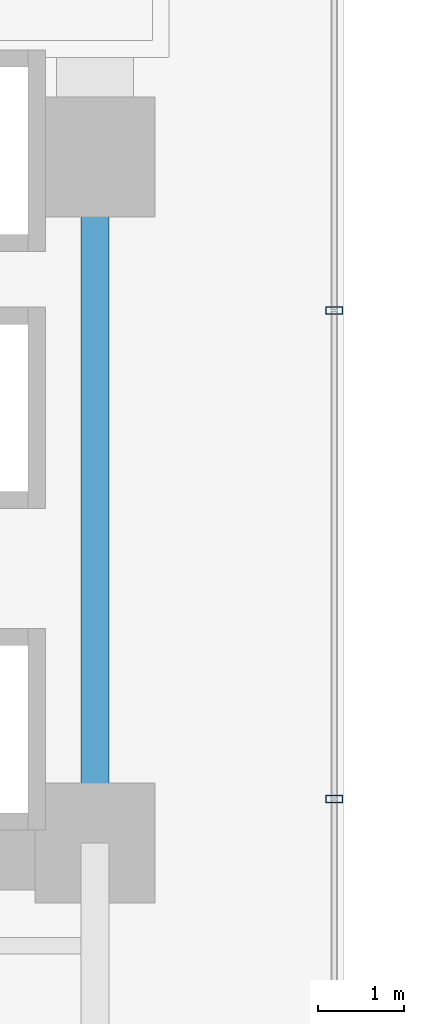
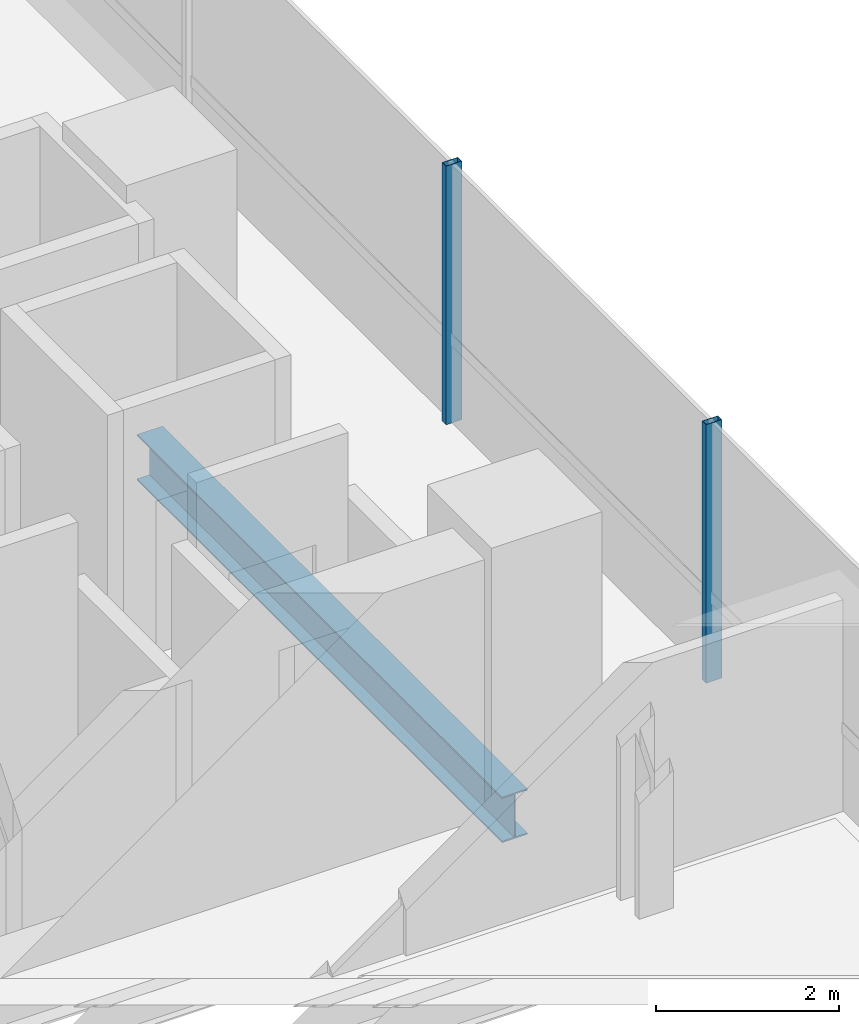
# One storey, part 6 of 39: 2 members, 1 beam, 1 element without a shape of its own.
"""IFC4 building model written with IfcOpenShell, lengths in metres."""

from ifc_helpers import new_model, si_unit, direction, frame, origin, origin_2d, place, context, subcontext, project, spatial, hollow_rectangle, i_section, extrude, source, transform, mapped, material, material_profile, profile_set, type_object, element, aggregate, save


model = new_model("IFC4")

# Units and contexts
model_context = context("Model", 3, precision=1e-05, world=origin(), true_north=direction((0.0, 1.0)))
body_context = subcontext(model_context, "Body", "Model", "MODEL_VIEW")
ifc_project = project(units=[si_unit("LENGTHUNIT", "METRE"), si_unit("AREAUNIT", "SQUARE_METRE"), si_unit("VOLUMEUNIT", "CUBIC_METRE"), si_unit("PLANEANGLEUNIT", "RADIAN"), si_unit("MASSUNIT", "GRAM", prefix="KILO")], contexts=[model_context])

# Site, building, storey
site_placement = place(None, origin())
site = spatial("IfcSite", under=ifc_project, at=site_placement, CompositionType="ELEMENT")
building_placement = place(site_placement, origin())
building = spatial("IfcBuilding", under=site, at=building_placement, Name="Valdorenza Pilgrim Sanctuary Tower", CompositionType="ELEMENT")
storey_placement = place(building_placement, frame((0.0, 0.0, 33.39990234375)))
storey = spatial("IfcBuildingStorey", under=building, at=storey_placement, Name="L07", CompositionType="ELEMENT", Elevation=33.39990234375)

# Beam
ifc_material_1 = material(Name="Steel ASTM A992 Grade 50", Category="steel")
ifc_material_profile_1 = material_profile(ifc_material_1, i_section(OverallWidth=0.323974609375, OverallDepth=0.611083984375, WebThickness=0.0126953125, FlangeThickness=0.01904296875, at=origin_2d()), Name="W24X104")
ifc_profile_set_1 = profile_set([ifc_material_profile_1], Name="Steel ASTM A992 Grade 50")
beam_type = type_object("IfcBeamType", Name="STR-BM-GRD-W24B", PredefinedType="BEAM", material=ifc_profile_set_1)
shared_shape_1 = source(origin(), body_context, "Body", "SweptSolid", [
    extrude(i_section(OverallWidth=0.323974609375, OverallDepth=0.611083984375, WebThickness=0.0126953125, FlangeThickness=0.01904296875, at=origin_2d()), origin(), (0.0, 0.0, 1.0), 8.0),
])
beam_placement = place(storey_placement, frame((-12.39990234375, -10.60009765625, -0.54541015625), z_axis=(0.0, 1.0, 0.0), x_axis=(-1.0, 0.0, 0.0)))
element("IfcBeam", 1, at=beam_placement, inside=storey, type_object=beam_type, Name="L07 Core Tie Girder CA-E-S1M0", PredefinedType="BEAM", context=body_context, shape_type="MappedRepresentation", body=[
    mapped(shared_shape_1, transform((0.0, 0.0, 0.0), x_axis=(1.0, 0.0, 0.0), y_axis=(0.0, 1.0, 0.0), z_axis=(0.0, 0.0, 1.0), scale=1.0)),
])

# Curtain wall, members
ifc_material_2 = material(Name="Curtain-wall IGU glazing", Category="glass")
curtain_wall_type = type_object("IfcCurtainWallType", Name="CW-SYS-02", PredefinedType="NOTDEFINED", material=ifc_material_2)
curtain_wall_placement = place(storey_placement, origin())
curtain_wall = element("IfcCurtainWall", 2, at=curtain_wall_placement, inside=storey, type_object=curtain_wall_type, Name="L07 Curtain Wall CW-L07-1-41", PredefinedType="NOTDEFINED")
ifc_material_3 = material(Name="Anodised aluminium AW-6060", Category="aluminium")
ifc_material_profile_2 = material_profile(ifc_material_3, hollow_rectangle(XDim=0.0849609375, YDim=0.199951171875, WallThickness=0.0048828125, at=origin_2d()), Name="ALU-M 200x85x5")
ifc_profile_set_2 = profile_set([ifc_material_profile_2], Name="Anodised aluminium AW-6060")
member_type = type_object("IfcMemberType", Name="CW-MUL-02", PredefinedType="MULLION", material=ifc_profile_set_2)
shared_shape_2 = source(origin(), body_context, "Body", "SweptSolid", [
    extrude(hollow_rectangle(XDim=0.0849609375, YDim=0.199951171875, WallThickness=0.0048828125, at=origin_2d()), origin(), (0.0, 0.0, 1.0), 3.460205078125),
])
member_1_placement = place(storey_placement, frame((-9.610107421875, -4.38916015625, 0.0), z_axis=(0.0, 0.0, 1.0), x_axis=(0.0, -1.0, 0.0)))
member_1 = element("IfcMember", 3, at=member_1_placement, type_object=member_type, Name="CW-L07-1-41 Mullion 3", PredefinedType="MULLION", context=body_context, shape_type="MappedRepresentation", body=[
    mapped(shared_shape_2, transform((0.0, 0.0, 0.0), x_axis=(1.0, 0.0, 0.0), y_axis=(0.0, 1.0, 0.0), z_axis=(0.0, 0.0, 1.0), scale=1.0)),
])
member_2_placement = place(storey_placement, frame((-9.610107421875, -10.089111328125, 0.0), z_axis=(0.0, 0.0, 1.0), x_axis=(0.0, -1.0, 0.0)))
member_2 = element("IfcMember", 4, at=member_2_placement, type_object=member_type, Name="CW-L07-1-41 Mullion 4", PredefinedType="MULLION", context=body_context, shape_type="MappedRepresentation", body=[
    mapped(shared_shape_2, transform((0.0, 0.0, 0.0), x_axis=(1.0, 0.0, 0.0), y_axis=(0.0, 1.0, 0.0), z_axis=(0.0, 0.0, 1.0), scale=1.0)),
])
aggregate(curtain_wall, [member_1, member_2])

save(model, "model.ifc")
